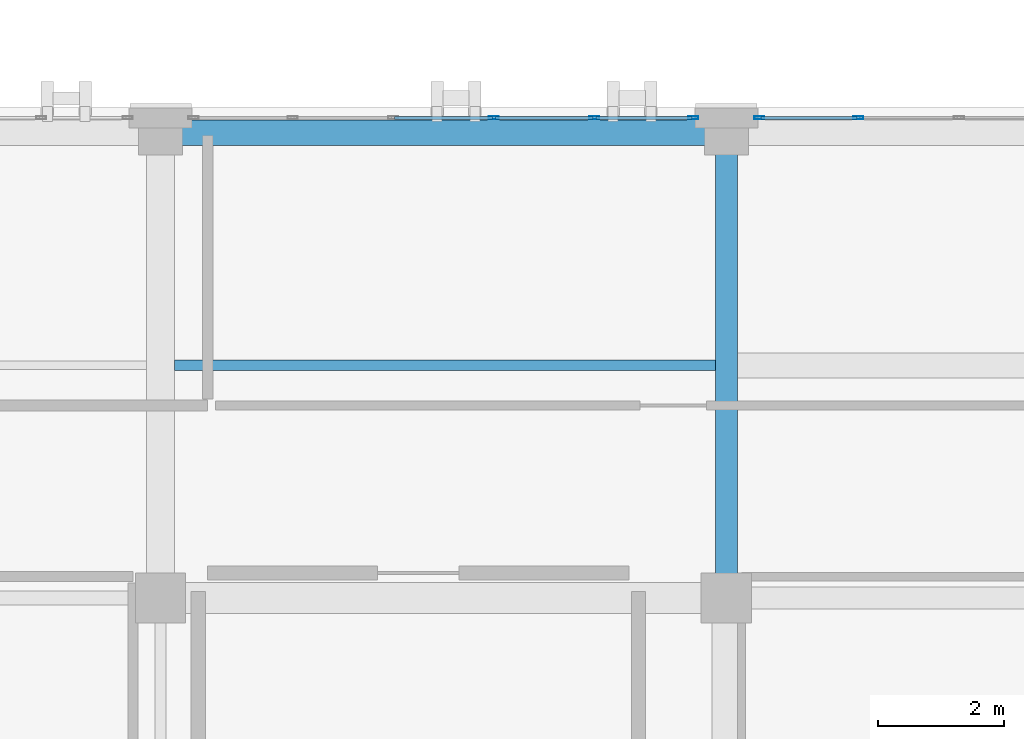
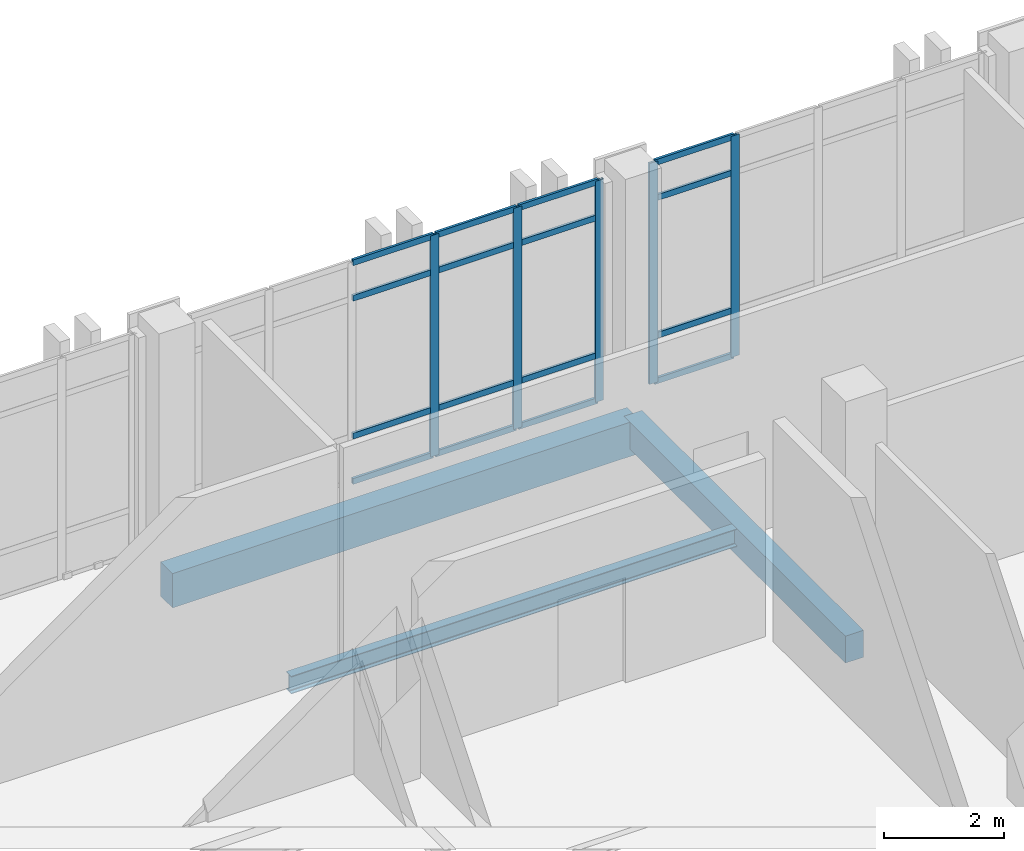
# One storey, part 54 of 189: 21 members, 3 beams, 2 elements without a shape of their own.
"""IFC4 building model written with IfcOpenShell, lengths in metres."""

from ifc_helpers import new_model, si_unit, direction, frame, origin, origin_2d, place, context, subcontext, project, spatial, rectangle, hollow_rectangle, i_section, extrude, material, layer, layer_set, material_profile, profile_set, type_object, element, aggregate, save


model = new_model("IFC4")

# Units and contexts
model_context = context("Model", 3, precision=1e-05, world=origin(), true_north=direction((0.0, 1.0)))
body_context = subcontext(model_context, "Body", "Model", "MODEL_VIEW")
ifc_project = project(units=[si_unit("LENGTHUNIT", "METRE"), si_unit("AREAUNIT", "SQUARE_METRE"), si_unit("VOLUMEUNIT", "CUBIC_METRE"), si_unit("PLANEANGLEUNIT", "RADIAN"), si_unit("MASSUNIT", "GRAM", prefix="KILO")], contexts=[model_context])

# Site, building, storey
site_placement = place(None, origin())
site = spatial("IfcSite", under=ifc_project, at=site_placement, CompositionType="ELEMENT")
building_placement = place(site_placement, origin())
building = spatial("IfcBuilding", under=site, at=building_placement, Name="Qalavern Law Courts", CompositionType="ELEMENT")
storey_placement = place(building_placement, frame((0.0, 0.0, 5.39990234375)))
storey = spatial("IfcBuildingStorey", under=building, at=storey_placement, Name="L01", CompositionType="ELEMENT", Elevation=5.39990234375)

# Curtain wall, members
ifc_material_1 = material(Name="Anodised aluminium and insulated glazing", Category="aluminium")
ifc_layer = layer(ifc_material_1, 0.172119140625)
ifc_layer_set = layer_set([ifc_layer], Name="Anodised aluminium and insulated glazing")
curtain_wall_type = type_object("IfcCurtainWallType", Name="ENV-CW-COURT", PredefinedType="USERDEFINED", material=ifc_layer_set)
curtain_wall_1_placement = place(storey_placement, origin())
curtain_wall_1 = element("IfcCurtainWall", 1, at=curtain_wall_1_placement, inside=storey, type_object=curtain_wall_type, Name="V6 unitised curtain wall L01 north 5", ObjectType="UNITISED CURTAIN WALL", PredefinedType="USERDEFINED")
ifc_material_2 = material(Name="Anodised aluminium", Category="aluminium")
ifc_material_profile_1 = material_profile(ifc_material_2, hollow_rectangle(XDim=0.048095703125, YDim=0.159912109375, WallThickness=0.00390625, at=origin_2d()), Name="ALU MULLION 48x160")
ifc_profile_set_1 = profile_set([ifc_material_profile_1], Name="Anodised aluminium")
member_type_1 = type_object("IfcMemberType", Name="ENV-CWM-48x160", PredefinedType="MULLION", material=ifc_profile_set_1)
member_1_placement = place(storey_placement, frame((128.89990234375, 22.4375, 0.0), z_axis=(0.0, 0.0, 1.0), x_axis=(0.0, -1.0, 0.0)))
member_1 = element("IfcMember", 2, at=member_1_placement, type_object=member_type_1, Name="CW-03 mullion 4", PredefinedType="MULLION", context=body_context, shape_type="SweptSolid", body=[
    extrude(hollow_rectangle(XDim=0.048095703125, YDim=0.159912109375, WallThickness=0.00390625, at=origin_2d()), origin(), (0.0, 0.0, 1.0), 4.510009765625),
])
member_2_placement = place(storey_placement, frame((127.323974609375, 22.4375, 0.0), z_axis=(0.0, 0.0, 1.0), x_axis=(0.0, -1.0, 0.0)))
member_2 = element("IfcMember", 3, at=member_2_placement, type_object=member_type_1, Name="CW-03 mullion 5", PredefinedType="MULLION", context=body_context, shape_type="SweptSolid", body=[
    extrude(hollow_rectangle(XDim=0.048095703125, YDim=0.159912109375, WallThickness=0.00390625, at=origin_2d()), origin(), (0.0, 0.0, 1.0), 4.510009765625),
])

curtain_wall_2_placement = place(storey_placement, origin())
curtain_wall_2 = element("IfcCurtainWall", 4, at=curtain_wall_2_placement, inside=storey, type_object=curtain_wall_type, Name="V6 unitised curtain wall L01 north 6", ObjectType="UNITISED CURTAIN WALL", PredefinedType="USERDEFINED")
member_3_placement = place(storey_placement, frame((126.27587890625, 22.4375, 0.0), z_axis=(0.0, 0.0, 1.0), x_axis=(0.0, -1.0, 0.0)))
member_3 = element("IfcMember", 5, at=member_3_placement, type_object=member_type_1, Name="CW-03 mullion 1", PredefinedType="MULLION", context=body_context, shape_type="SweptSolid", body=[
    extrude(hollow_rectangle(XDim=0.048095703125, YDim=0.159912109375, WallThickness=0.00390625, at=origin_2d()), origin(), (0.0, 0.0, 1.0), 4.510009765625),
])
member_4_placement = place(storey_placement, frame((124.699951171875, 22.4375, 0.0), z_axis=(0.0, 0.0, 1.0), x_axis=(0.0, -1.0, 0.0)))
member_4 = element("IfcMember", 6, at=member_4_placement, type_object=member_type_1, Name="CW-03 mullion 2", PredefinedType="MULLION", context=body_context, shape_type="SweptSolid", body=[
    extrude(hollow_rectangle(XDim=0.048095703125, YDim=0.159912109375, WallThickness=0.00390625, at=origin_2d()), origin(), (0.0, 0.0, 1.0), 4.510009765625),
])
member_5_placement = place(storey_placement, frame((123.10009765625, 22.4375, 0.0), z_axis=(0.0, 0.0, 1.0), x_axis=(0.0, -1.0, 0.0)))
member_5 = element("IfcMember", 7, at=member_5_placement, type_object=member_type_1, Name="CW-03 mullion 3", PredefinedType="MULLION", context=body_context, shape_type="SweptSolid", body=[
    extrude(hollow_rectangle(XDim=0.048095703125, YDim=0.159912109375, WallThickness=0.00390625, at=origin_2d()), origin(), (0.0, 0.0, 1.0), 4.510009765625),
])

# Member
ifc_material_profile_2 = material_profile(ifc_material_2, hollow_rectangle(XDim=0.048095703125, YDim=0.1201171875, WallThickness=0.00390625, at=origin_2d()), Name="ALU TRANSOM 48x120")
ifc_profile_set_2 = profile_set([ifc_material_profile_2], Name="Anodised aluminium")
member_type_2 = type_object("IfcMemberType", Name="ENV-CWT-48x120", PredefinedType="USERDEFINED", material=ifc_profile_set_2)
member_6_placement = place(storey_placement, frame((128.8759765625, 22.4375, 0.024169921875), z_axis=(-1.0, 0.0, 0.0), x_axis=(0.0, -1.0, 0.0)))
member_6 = element("IfcMember", 8, at=member_6_placement, type_object=member_type_2, Name="CW-03 transom 4.1", ObjectType="TRANSOM", PredefinedType="USERDEFINED", context=body_context, shape_type="SweptSolid", body=[
    extrude(hollow_rectangle(XDim=0.048095703125, YDim=0.1201171875, WallThickness=0.00390625, at=origin_2d()), origin(), (0.0, 0.0, 1.0), 1.528076171875),
])

member_7_placement = place(storey_placement, frame((128.8759765625, 22.4375, 0.9501953125), z_axis=(-1.0, 0.0, 0.0), x_axis=(0.0, -1.0, 0.0)))
member_7 = element("IfcMember", 9, at=member_7_placement, type_object=member_type_2, Name="CW-03 transom 4.2", ObjectType="TRANSOM", PredefinedType="USERDEFINED", context=body_context, shape_type="SweptSolid", body=[
    extrude(hollow_rectangle(XDim=0.048095703125, YDim=0.1201171875, WallThickness=0.00390625, at=origin_2d()), origin(), (0.0, 0.0, 1.0), 1.528076171875),
])

member_8_placement = place(storey_placement, frame((128.8759765625, 22.4375, 3.760009765625), z_axis=(-1.0, 0.0, 0.0), x_axis=(0.0, -1.0, 0.0)))
member_8 = element("IfcMember", 10, at=member_8_placement, type_object=member_type_2, Name="CW-03 transom 4.3", ObjectType="TRANSOM", PredefinedType="USERDEFINED", context=body_context, shape_type="SweptSolid", body=[
    extrude(hollow_rectangle(XDim=0.048095703125, YDim=0.1201171875, WallThickness=0.00390625, at=origin_2d()), origin(), (0.0, 0.0, 1.0), 1.528076171875),
])

member_9_placement = place(storey_placement, frame((128.8759765625, 22.4375, 4.486083984375), z_axis=(-1.0, 0.0, 0.0), x_axis=(0.0, -1.0, 0.0)))
member_9 = element("IfcMember", 11, at=member_9_placement, type_object=member_type_2, Name="CW-03 transom 4.4", ObjectType="TRANSOM", PredefinedType="USERDEFINED", context=body_context, shape_type="SweptSolid", body=[
    extrude(hollow_rectangle(XDim=0.048095703125, YDim=0.1201171875, WallThickness=0.00390625, at=origin_2d()), origin(), (0.0, 0.0, 1.0), 1.528076171875),
])

aggregate(curtain_wall_1, [member_1, member_2, member_6, member_7, member_8, member_9])

member_10_placement = place(storey_placement, frame((126.251953125, 22.4375, 0.024169921875), z_axis=(-1.0, 0.0, 0.0), x_axis=(0.0, -1.0, 0.0)))
member_10 = element("IfcMember", 12, at=member_10_placement, type_object=member_type_2, Name="CW-03 transom 1.1", ObjectType="TRANSOM", PredefinedType="USERDEFINED", context=body_context, shape_type="SweptSolid", body=[
    extrude(hollow_rectangle(XDim=0.048095703125, YDim=0.1201171875, WallThickness=0.00390625, at=origin_2d()), origin(), (0.0, 0.0, 1.0), 1.52783203125),
])

member_11_placement = place(storey_placement, frame((126.251953125, 22.4375, 0.9501953125), z_axis=(-1.0, 0.0, 0.0), x_axis=(0.0, -1.0, 0.0)))
member_11 = element("IfcMember", 13, at=member_11_placement, type_object=member_type_2, Name="CW-03 transom 1.2", ObjectType="TRANSOM", PredefinedType="USERDEFINED", context=body_context, shape_type="SweptSolid", body=[
    extrude(hollow_rectangle(XDim=0.048095703125, YDim=0.1201171875, WallThickness=0.00390625, at=origin_2d()), origin(), (0.0, 0.0, 1.0), 1.52783203125),
])

member_12_placement = place(storey_placement, frame((126.251953125, 22.4375, 3.760009765625), z_axis=(-1.0, 0.0, 0.0), x_axis=(0.0, -1.0, 0.0)))
member_12 = element("IfcMember", 14, at=member_12_placement, type_object=member_type_2, Name="CW-03 transom 1.3", ObjectType="TRANSOM", PredefinedType="USERDEFINED", context=body_context, shape_type="SweptSolid", body=[
    extrude(hollow_rectangle(XDim=0.048095703125, YDim=0.1201171875, WallThickness=0.00390625, at=origin_2d()), origin(), (0.0, 0.0, 1.0), 1.52783203125),
])

member_13_placement = place(storey_placement, frame((126.251953125, 22.4375, 4.486083984375), z_axis=(-1.0, 0.0, 0.0), x_axis=(0.0, -1.0, 0.0)))
member_13 = element("IfcMember", 15, at=member_13_placement, type_object=member_type_2, Name="CW-03 transom 1.4", ObjectType="TRANSOM", PredefinedType="USERDEFINED", context=body_context, shape_type="SweptSolid", body=[
    extrude(hollow_rectangle(XDim=0.048095703125, YDim=0.1201171875, WallThickness=0.00390625, at=origin_2d()), origin(), (0.0, 0.0, 1.0), 1.52783203125),
])

member_14_placement = place(storey_placement, frame((124.676025390625, 22.4375, 0.024169921875), z_axis=(-1.0, 0.0, 0.0), x_axis=(0.0, -1.0, 0.0)))
member_14 = element("IfcMember", 16, at=member_14_placement, type_object=member_type_2, Name="CW-03 transom 2.1", ObjectType="TRANSOM", PredefinedType="USERDEFINED", context=body_context, shape_type="SweptSolid", body=[
    extrude(hollow_rectangle(XDim=0.048095703125, YDim=0.1201171875, WallThickness=0.00390625, at=origin_2d()), origin(), (0.0, 0.0, 1.0), 1.552001953125),
])

member_15_placement = place(storey_placement, frame((124.676025390625, 22.4375, 0.9501953125), z_axis=(-1.0, 0.0, 0.0), x_axis=(0.0, -1.0, 0.0)))
member_15 = element("IfcMember", 17, at=member_15_placement, type_object=member_type_2, Name="CW-03 transom 2.2", ObjectType="TRANSOM", PredefinedType="USERDEFINED", context=body_context, shape_type="SweptSolid", body=[
    extrude(hollow_rectangle(XDim=0.048095703125, YDim=0.1201171875, WallThickness=0.00390625, at=origin_2d()), origin(), (0.0, 0.0, 1.0), 1.552001953125),
])

member_16_placement = place(storey_placement, frame((124.676025390625, 22.4375, 3.760009765625), z_axis=(-1.0, 0.0, 0.0), x_axis=(0.0, -1.0, 0.0)))
member_16 = element("IfcMember", 18, at=member_16_placement, type_object=member_type_2, Name="CW-03 transom 2.3", ObjectType="TRANSOM", PredefinedType="USERDEFINED", context=body_context, shape_type="SweptSolid", body=[
    extrude(hollow_rectangle(XDim=0.048095703125, YDim=0.1201171875, WallThickness=0.00390625, at=origin_2d()), origin(), (0.0, 0.0, 1.0), 1.552001953125),
])

member_17_placement = place(storey_placement, frame((124.676025390625, 22.4375, 4.486083984375), z_axis=(-1.0, 0.0, 0.0), x_axis=(0.0, -1.0, 0.0)))
member_17 = element("IfcMember", 19, at=member_17_placement, type_object=member_type_2, Name="CW-03 transom 2.4", ObjectType="TRANSOM", PredefinedType="USERDEFINED", context=body_context, shape_type="SweptSolid", body=[
    extrude(hollow_rectangle(XDim=0.048095703125, YDim=0.1201171875, WallThickness=0.00390625, at=origin_2d()), origin(), (0.0, 0.0, 1.0), 1.552001953125),
])

member_18_placement = place(storey_placement, frame((123.075927734375, 22.4375, 0.024169921875), z_axis=(-1.0, 0.0, 0.0), x_axis=(0.0, -1.0, 0.0)))
member_18 = element("IfcMember", 20, at=member_18_placement, type_object=member_type_2, Name="CW-03 transom 3.1", ObjectType="TRANSOM", PredefinedType="USERDEFINED", context=body_context, shape_type="SweptSolid", body=[
    extrude(hollow_rectangle(XDim=0.048095703125, YDim=0.1201171875, WallThickness=0.00390625, at=origin_2d()), origin(), (0.0, 0.0, 1.0), 1.552001953125),
])

member_19_placement = place(storey_placement, frame((123.075927734375, 22.4375, 0.9501953125), z_axis=(-1.0, 0.0, 0.0), x_axis=(0.0, -1.0, 0.0)))
member_19 = element("IfcMember", 21, at=member_19_placement, type_object=member_type_2, Name="CW-03 transom 3.2", ObjectType="TRANSOM", PredefinedType="USERDEFINED", context=body_context, shape_type="SweptSolid", body=[
    extrude(hollow_rectangle(XDim=0.048095703125, YDim=0.1201171875, WallThickness=0.00390625, at=origin_2d()), origin(), (0.0, 0.0, 1.0), 1.552001953125),
])

member_20_placement = place(storey_placement, frame((123.075927734375, 22.4375, 3.760009765625), z_axis=(-1.0, 0.0, 0.0), x_axis=(0.0, -1.0, 0.0)))
member_20 = element("IfcMember", 22, at=member_20_placement, type_object=member_type_2, Name="CW-03 transom 3.3", ObjectType="TRANSOM", PredefinedType="USERDEFINED", context=body_context, shape_type="SweptSolid", body=[
    extrude(hollow_rectangle(XDim=0.048095703125, YDim=0.1201171875, WallThickness=0.00390625, at=origin_2d()), origin(), (0.0, 0.0, 1.0), 1.552001953125),
])

member_21_placement = place(storey_placement, frame((123.075927734375, 22.4375, 4.486083984375), z_axis=(-1.0, 0.0, 0.0), x_axis=(0.0, -1.0, 0.0)))
member_21 = element("IfcMember", 23, at=member_21_placement, type_object=member_type_2, Name="CW-03 transom 3.4", ObjectType="TRANSOM", PredefinedType="USERDEFINED", context=body_context, shape_type="SweptSolid", body=[
    extrude(hollow_rectangle(XDim=0.048095703125, YDim=0.1201171875, WallThickness=0.00390625, at=origin_2d()), origin(), (0.0, 0.0, 1.0), 1.552001953125),
])

aggregate(curtain_wall_2, [member_3, member_4, member_5, member_10, member_11, member_12, member_13, member_14, member_15, member_16, member_17, member_18, member_19, member_20, member_21])

# Beams
ifc_material_3 = material(Name="Concrete C35/45", Category="concrete")
ifc_material_profile_3 = material_profile(ifc_material_3, rectangle(XDim=0.35009765625, YDim=0.550048828125, at=origin_2d()), Name="RC 350x550")
ifc_profile_set_3 = profile_set([ifc_material_profile_3], Name="Concrete C35/45")
beam_type_1 = type_object("IfcBeamType", Name="STR-BM-RC350x550", PredefinedType="BEAM", material=ifc_profile_set_3)
beam_1_placement = place(storey_placement, frame((126.800048828125, 14.800048828125, -0.574951171875), z_axis=(0.0, 1.0, 0.0), x_axis=(-1.0, 0.0, 0.0)))
element("IfcBeam", 24, at=beam_1_placement, inside=storey, type_object=beam_type_1, Name="V6 Y-beam 4-3 L01", PredefinedType="BEAM", context=body_context, shape_type="SweptSolid", body=[
    extrude(rectangle(XDim=0.35009765625, YDim=0.550048828125, at=origin_2d()), origin(), (0.0, 0.0, 1.0), 7.39990234375),
])
ifc_material_4 = material(Name="Steel S355", Category="steel")
ifc_material_profile_4 = material_profile(ifc_material_4, i_section(OverallWidth=0.169921875, OverallDepth=0.360107421875, WebThickness=0.008056640625, FlangeThickness=0.0126953125, FilletRadius=0.01806640625, at=origin_2d()), Name="IPE 360")
ifc_profile_set_4 = profile_set([ifc_material_profile_4], Name="Steel S355")
beam_type_2 = type_object("IfcBeamType", Name="STR-JST-IPE360", PredefinedType="JOIST", material=ifc_profile_set_4)
beam_2_placement = place(storey_placement, frame((118.02294921875, 18.5, -0.47998046875), z_axis=(1.0, 0.0, 0.0), x_axis=(0.0, 1.0, 0.0)))
element("IfcBeam", 25, at=beam_2_placement, inside=storey, type_object=beam_type_2, Name="V6 secondary joist 3.3.1 L01", PredefinedType="JOIST", context=body_context, shape_type="SweptSolid", body=[
    extrude(i_section(OverallWidth=0.169921875, OverallDepth=0.360107421875, WebThickness=0.008056640625, FlangeThickness=0.0126953125, FilletRadius=0.01806640625, at=origin_2d()), origin(), (0.0, 0.0, 1.0), 8.60400390625),
])
ifc_material_5 = material(Name="Concrete C40/50", Category="concrete")
ifc_material_profile_5 = material_profile(ifc_material_5, rectangle(XDim=0.39990234375, YDim=0.699951171875, at=origin_2d()), Name="RC 400x700")
ifc_profile_set_5 = profile_set([ifc_material_profile_5], Name="Concrete C40/50")
beam_type_3 = type_object("IfcBeamType", Name="STR-SP-RC400x700", PredefinedType="SPANDREL", material=ifc_profile_set_5)
beam_3_placement = place(storey_placement, frame((117.800048828125, 22.199951171875, -0.64990234375), z_axis=(1.0, 0.0, 0.0), x_axis=(0.0, 1.0, 0.0)))
element("IfcBeam", 26, at=beam_3_placement, inside=storey, type_object=beam_type_3, Name="V6 X-beam 4-3 L01", PredefinedType="SPANDREL", context=body_context, shape_type="SweptSolid", body=[
    extrude(rectangle(XDim=0.39990234375, YDim=0.699951171875, at=origin_2d()), origin(), (0.0, 0.0, 1.0), 9.0),
])

save(model, "model.ifc")
